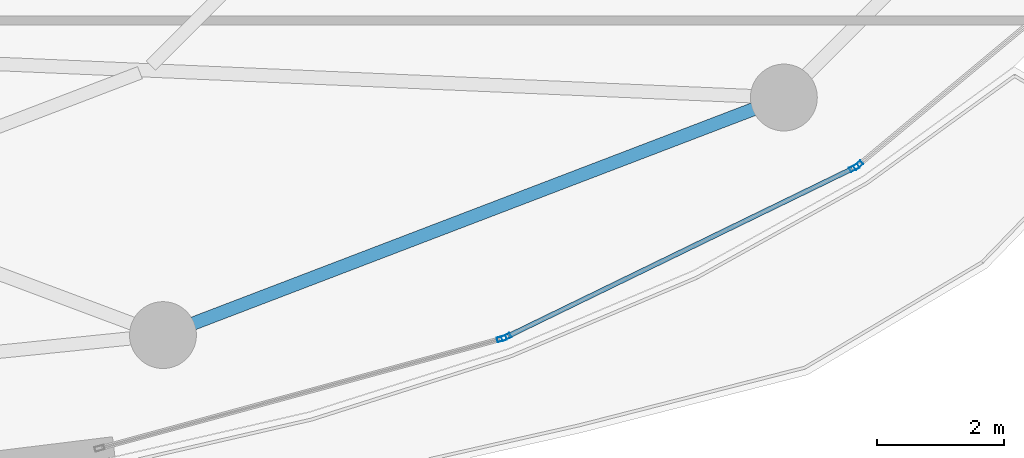
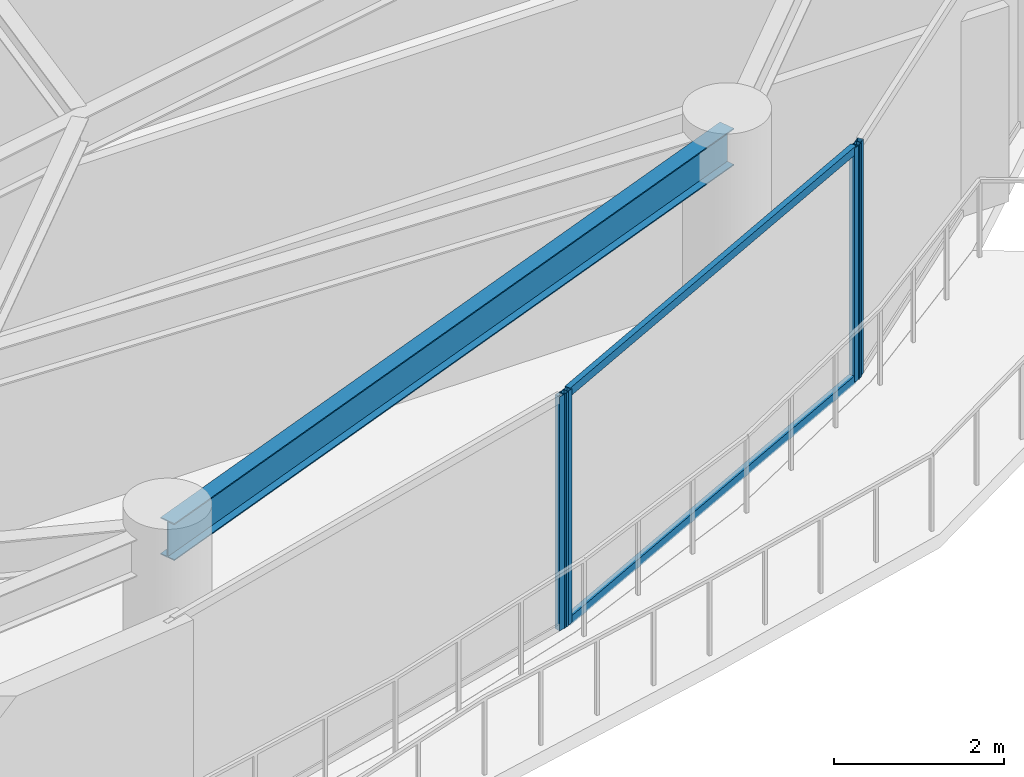
# One storey, part 13 of 31: 6 members, 1 beam, 3 elements without a shape of their own.
"""IFC4 building model written with IfcOpenShell, lengths in metres."""

from ifc_helpers import new_model, si_unit, direction, frame, origin, origin_2d, place, context, subcontext, project, spatial, hollow_rectangle, i_section, extrude, material, layer, layer_set, material_profile, profile_set, type_object, element, aggregate, save


model = new_model("IFC4")

# Units and contexts
model_context = context("Model", 3, precision=1e-05, world=origin(), true_north=direction((0.0, 1.0)))
body_context = subcontext(model_context, "Body", "Model", "MODEL_VIEW")
ifc_project = project(units=[si_unit("LENGTHUNIT", "METRE"), si_unit("AREAUNIT", "SQUARE_METRE"), si_unit("VOLUMEUNIT", "CUBIC_METRE"), si_unit("PLANEANGLEUNIT", "RADIAN"), si_unit("MASSUNIT", "GRAM", prefix="KILO")], contexts=[model_context])

# Site, building, storey
site_placement = place(None, origin())
site = spatial("IfcSite", under=ifc_project, at=site_placement, CompositionType="ELEMENT")
building_placement = place(site_placement, origin())
building = spatial("IfcBuilding", under=site, at=building_placement, Name="Kazevale Care Tower and Concert Hall", CompositionType="ELEMENT")
storey_placement = place(building_placement, frame((0.0, 0.0, 220.800048828125)))
storey = spatial("IfcBuildingStorey", under=building, at=storey_placement, Name="L58", CompositionType="ELEMENT", Elevation=220.800048828125)

# Curtain wall, member
ifc_material_1 = material(Name="Aluminium 6063-T6 and Low-E Glass", Category="aluminium")
ifc_layer = layer(ifc_material_1, 0.179931640625)
ifc_layer_set = layer_set([ifc_layer], Name="Aluminium 6063-T6 and Low-E Glass")
curtain_wall_type = type_object("IfcCurtainWallType", Name="Sheltered Concave Balcony Curtain Wall CW-5", PredefinedType="NOTDEFINED", material=ifc_layer_set)
curtain_wall_1_placement = place(storey_placement, origin())
curtain_wall_1 = element("IfcCurtainWall", 1, at=curtain_wall_1_placement, inside=storey, type_object=curtain_wall_type, Name="cw:L58:f02", PredefinedType="NOTDEFINED")
ifc_material_2 = material(Name="Aluminium 6063-T6", Category="aluminium")
ifc_material_profile_1 = material_profile(ifc_material_2, hollow_rectangle(XDim=0.074951171875, YDim=0.14990234375, WallThickness=0.00390625, at=origin_2d()), Name="ALU75x150x4")
ifc_profile_set_1 = profile_set([ifc_material_profile_1], Name="Aluminium 6063-T6")
member_type_1 = type_object("IfcMemberType", Name="CW-5 Mullion ALU75x150x4", PredefinedType="MULLION", material=ifc_profile_set_1)
member_1_placement = place(storey_placement, frame((67.417724609375, 21.5869140625, 0.0), z_axis=(0.0, 0.0, 1.0), x_axis=(0.639961217204, -0.768407210062, 0.0)))
member_1 = element("IfcMember", 2, at=member_1_placement, type_object=member_type_1, Name="CW-5 mullion 2", PredefinedType="MULLION", context=body_context, shape_type="SweptSolid", body=[
    extrude(hollow_rectangle(XDim=0.074951171875, YDim=0.14990234375, WallThickness=0.00390625, at=origin_2d()), origin(), (0.0, 0.0, 1.0), 3.35986328125),
])
aggregate(curtain_wall_1, [member_1])

# Curtain wall, members
curtain_wall_2_placement = place(storey_placement, origin())
curtain_wall_2 = element("IfcCurtainWall", 3, at=curtain_wall_2_placement, inside=storey, type_object=curtain_wall_type, Name="cw:L58:f03", PredefinedType="NOTDEFINED")
member_2_placement = place(storey_placement, frame((67.355224609375, 21.546630859375, 0.0), z_axis=(0.0, 0.0, 1.0), x_axis=(0.437238357087, -0.89934566163, 0.0)))
member_2 = element("IfcMember", 4, at=member_2_placement, type_object=member_type_1, Name="CW-5 mullion 1", PredefinedType="MULLION", context=body_context, shape_type="SweptSolid", body=[
    extrude(hollow_rectangle(XDim=0.074951171875, YDim=0.14990234375, WallThickness=0.00390625, at=origin_2d()), origin(), (0.0, 0.0, 1.0), 3.35986328125),
])
member_3_placement = place(storey_placement, frame((61.8896484375, 18.889404296875, 0.0), z_axis=(0.0, 0.0, 1.0), x_axis=(0.437238357087, -0.89934566163, 0.0)))
member_3 = element("IfcMember", 5, at=member_3_placement, type_object=member_type_1, Name="CW-5 mullion 2", PredefinedType="MULLION", context=body_context, shape_type="SweptSolid", body=[
    extrude(hollow_rectangle(XDim=0.074951171875, YDim=0.14990234375, WallThickness=0.00390625, at=origin_2d()), origin(), (0.0, 0.0, 1.0), 3.35986328125),
])

# Curtain wall, member
curtain_wall_3_placement = place(storey_placement, origin())
curtain_wall_3 = element("IfcCurtainWall", 6, at=curtain_wall_3_placement, inside=storey, type_object=curtain_wall_type, Name="cw:L58:f04", PredefinedType="NOTDEFINED")
member_4_placement = place(storey_placement, frame((61.81982421875, 18.863037109375, 0.0), z_axis=(0.0, 0.0, 1.0), x_axis=(0.262848968947, -0.964836991167, 0.0)))
member_4 = element("IfcMember", 7, at=member_4_placement, type_object=member_type_1, Name="CW-5 mullion 1", PredefinedType="MULLION", context=body_context, shape_type="SweptSolid", body=[
    extrude(hollow_rectangle(XDim=0.074951171875, YDim=0.14990234375, WallThickness=0.00390625, at=origin_2d()), origin(), (0.0, 0.0, 1.0), 3.35986328125),
])
aggregate(curtain_wall_3, [member_4])

# Member
ifc_material_profile_2 = material_profile(ifc_material_2, hollow_rectangle(XDim=0.074951171875, YDim=0.1201171875, WallThickness=0.00390625, at=origin_2d()), Name="ALU75x120x4")
ifc_profile_set_2 = profile_set([ifc_material_profile_2], Name="Aluminium 6063-T6")
member_type_2 = type_object("IfcMemberType", Name="CW-5 Transom ALU75x120x4", PredefinedType="USERDEFINED", material=ifc_profile_set_2)
member_5_placement = place(storey_placement, frame((67.321533203125, 21.5302734375, 0.037353515625), z_axis=(-0.899342308406, -0.437245254189, 0.0), x_axis=(0.437245254189, -0.899342308406, 0.0)))
member_5 = element("IfcMember", 8, at=member_5_placement, type_object=member_type_2, Name="CW-5 transom 1.1", ObjectType="TRANSOM", PredefinedType="USERDEFINED", context=body_context, shape_type="SweptSolid", body=[
    extrude(hollow_rectangle(XDim=0.074951171875, YDim=0.1201171875, WallThickness=0.00390625, at=origin_2d()), origin(), (0.0, 0.0, 1.0), 6.00244140625),
])

member_6_placement = place(storey_placement, frame((67.321533203125, 21.5302734375, 3.322509765625), z_axis=(-0.899342308406, -0.437245254189, 0.0), x_axis=(0.437245254189, -0.899342308406, 0.0)))
member_6 = element("IfcMember", 9, at=member_6_placement, type_object=member_type_2, Name="CW-5 transom 1.2", ObjectType="TRANSOM", PredefinedType="USERDEFINED", context=body_context, shape_type="SweptSolid", body=[
    extrude(hollow_rectangle(XDim=0.074951171875, YDim=0.1201171875, WallThickness=0.00390625, at=origin_2d()), origin(), (0.0, 0.0, 1.0), 6.00244140625),
])

aggregate(curtain_wall_2, [member_2, member_3, member_5, member_6])

# Beam
ifc_material_3 = material(Name="Steel ASTM A572 Gr 50", Category="steel")
ifc_material_profile_3 = material_profile(ifc_material_3, i_section(OverallWidth=0.208984375, OverallDepth=0.532958984375, WebThickness=0.01025390625, FlangeThickness=0.015625, at=origin_2d()), Name="W530x92")
ifc_profile_set_3 = profile_set([ifc_material_profile_3], Name="Steel ASTM A572 Gr 50")
beam_type = type_object("IfcBeamType", Name="Upper Ring Beam W530x92", PredefinedType="BEAM", material=ifc_profile_set_3)
beam_placement = place(storey_placement, frame((56.5, 18.919921875, 3.093505859375), z_axis=(0.933986653173, 0.357307894811, 0.0), x_axis=(-0.357307894811, 0.933986653173, 0.0)))
element("IfcBeam", 10, at=beam_placement, inside=storey, type_object=beam_type, Name="beam:L58:ring:14", PredefinedType="BEAM", context=body_context, shape_type="SweptSolid", body=[
    extrude(i_section(OverallWidth=0.208984375, OverallDepth=0.532958984375, WebThickness=0.01025390625, FlangeThickness=0.015625, at=origin_2d()), origin(), (0.0, 0.0, 1.0), 10.439208984375),
])

save(model, "model.ifc")
